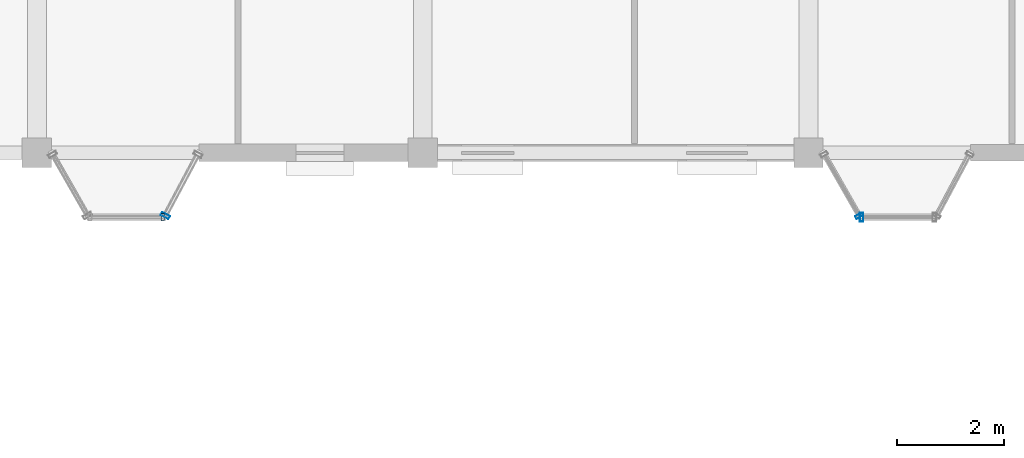
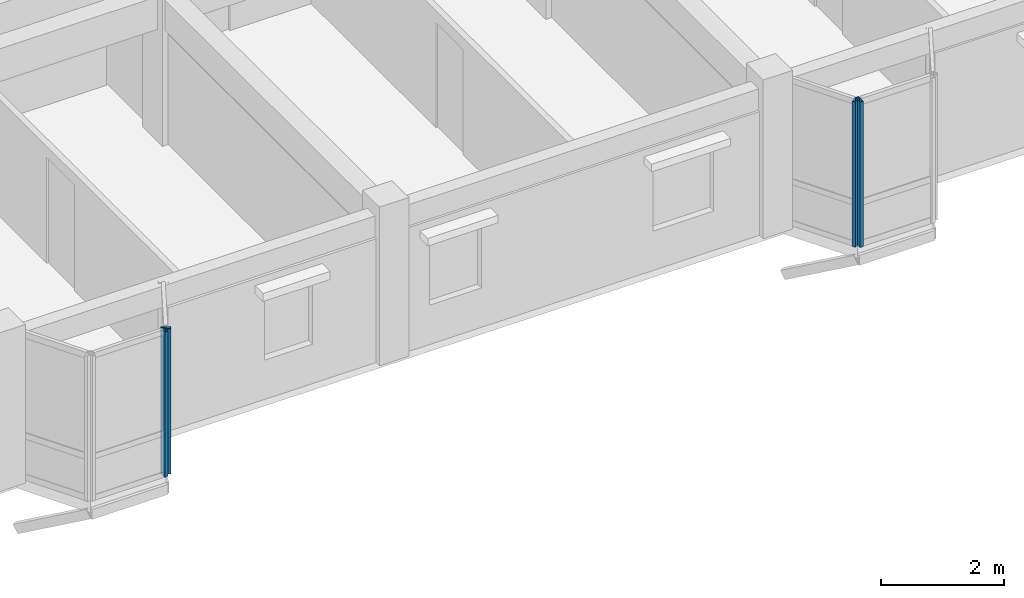
# One storey, part 37 of 79: 4 members, 4 elements without a shape of their own.
"""IFC4 building model written with IfcOpenShell, lengths in metres."""

from ifc_helpers import new_model, si_unit, direction, frame, origin, origin_2d, place, context, subcontext, project, spatial, hollow_rectangle, extrude, material, layer, layer_set, material_profile, profile_set, type_object, element, aggregate, save


model = new_model("IFC4")

# Units and contexts
model_context = context("Model", 3, precision=1e-05, world=origin(), true_north=direction((0.0, 1.0)))
body_context = subcontext(model_context, "Body", "Model", "MODEL_VIEW")
ifc_project = project(units=[si_unit("LENGTHUNIT", "METRE"), si_unit("AREAUNIT", "SQUARE_METRE"), si_unit("VOLUMEUNIT", "CUBIC_METRE"), si_unit("PLANEANGLEUNIT", "RADIAN"), si_unit("MASSUNIT", "GRAM", prefix="KILO"), si_unit("THERMODYNAMICTEMPERATUREUNIT", "KELVIN"), si_unit("POWERUNIT", "WATT")], contexts=[model_context])

# Site, building, storey
site_placement = place(None, origin())
site = spatial("IfcSite", under=ifc_project, at=site_placement, CompositionType="ELEMENT")
building_placement = place(site_placement, origin())
building = spatial("IfcBuilding", under=site, at=building_placement, Name="Tavuni Mirador Residences", CompositionType="ELEMENT")
storey_placement = place(building_placement, frame((0.0, 0.0, 13.949951171875)))
storey = spatial("IfcBuildingStorey", under=building, at=storey_placement, Name="L04", CompositionType="ELEMENT", Elevation=13.949951171875)

# Curtain wall, member
ifc_material = material(Name="Anodised aluminium", Category="aluminium")
ifc_layer_1 = layer(ifc_material, 0.175048828125, Name="Anodised aluminium", Category="aluminium")
ifc_layer_set_1 = layer_set([ifc_layer_1], Name="Anodised aluminium")
curtain_wall_type_1 = type_object("IfcCurtainWallType", Name="CWT-MIR-C", PredefinedType="NOTDEFINED", material=ifc_layer_set_1)
curtain_wall_1_placement = place(storey_placement, origin())
curtain_wall_1 = element("IfcCurtainWall", 1, at=curtain_wall_1_placement, inside=storey, type_object=curtain_wall_type_1, Name="CW-MIR-C-S2-L04-MF", PredefinedType="NOTDEFINED")
ifc_material_profile_1 = material_profile(ifc_material, hollow_rectangle(XDim=0.06005859375, YDim=0.139892578125, WallThickness=0.00390625, at=origin_2d()), Name="ALU 60x140x4.0", Category="aluminium")
ifc_profile_set_1 = profile_set([ifc_material_profile_1], Name="Anodised aluminium")
member_type_1 = type_object("IfcMemberType", Name="CWM-140", PredefinedType="MULLION", material=ifc_profile_set_1)
member_1_placement = place(storey_placement, frame((34.75, 142.800048828125, 0.0), z_axis=(0.0, 0.0, 1.0), x_axis=(1.0, 0.0, 0.0)))
member_1 = element("IfcMember", 2, at=member_1_placement, type_object=member_type_1, Name="CW-03 mullion 2", PredefinedType="MULLION", context=body_context, shape_type="SweptSolid", body=[
    extrude(hollow_rectangle(XDim=0.06005859375, YDim=0.139892578125, WallThickness=0.00390625, at=origin_2d()), origin(), (0.0, 0.0, 1.0), 2.885009765625),
])
aggregate(curtain_wall_1, [member_1])

ifc_layer_2 = layer(ifc_material, 0.1650390625, Name="Anodised aluminium", Category="aluminium")
ifc_layer_set_2 = layer_set([ifc_layer_2], Name="Anodised aluminium")
curtain_wall_type_2 = type_object("IfcCurtainWallType", Name="CWT-MIR-A", PredefinedType="NOTDEFINED", material=ifc_layer_set_2)
curtain_wall_2_placement = place(storey_placement, origin())
curtain_wall_2 = element("IfcCurtainWall", 3, at=curtain_wall_2_placement, inside=storey, type_object=curtain_wall_type_2, Name="CW-MIR-C-S3-L04-M1", PredefinedType="NOTDEFINED")
member_2_placement = place(storey_placement, frame((47.7451171875, 142.826171875, 0.0), z_axis=(0.0, 0.0, 1.0), x_axis=(0.495749192217, -0.868465738194, 0.0)))
member_2 = element("IfcMember", 4, at=member_2_placement, type_object=member_type_1, Name="CW-01 mullion 2", PredefinedType="MULLION", context=body_context, shape_type="SweptSolid", body=[
    extrude(hollow_rectangle(XDim=0.06005859375, YDim=0.139892578125, WallThickness=0.00390625, at=origin_2d()), origin(), (0.0, 0.0, 1.0), 2.885009765625),
])
aggregate(curtain_wall_2, [member_2])

ifc_layer_3 = layer(ifc_material, 0.159912109375, Name="Anodised aluminium", Category="aluminium")
ifc_layer_set_3 = layer_set([ifc_layer_3], Name="Anodised aluminium")
curtain_wall_type_3 = type_object("IfcCurtainWallType", Name="CWT-MIR-D", PredefinedType="NOTDEFINED", material=ifc_layer_set_3)
curtain_wall_3_placement = place(storey_placement, origin())
curtain_wall_3 = element("IfcCurtainWall", 5, at=curtain_wall_3_placement, inside=storey, type_object=curtain_wall_type_3, Name="CW-MIR-C-S2-L04-M2", PredefinedType="NOTDEFINED")
ifc_material_profile_2 = material_profile(ifc_material, hollow_rectangle(XDim=0.06494140625, YDim=0.1650390625, WallThickness=0.00439453125, at=origin_2d()), Name="ALU 65x165x4.5", Category="aluminium")
ifc_profile_set_2 = profile_set([ifc_material_profile_2], Name="Anodised aluminium")
member_type_2 = type_object("IfcMemberType", Name="CWM-165", PredefinedType="MULLION", material=ifc_profile_set_2)
member_3_placement = place(storey_placement, frame((34.79541015625, 142.82861328125, 0.0), z_axis=(0.0, 0.0, 1.0), x_axis=(0.470588235296, 0.882352941175, 0.0)))
member_3 = element("IfcMember", 6, at=member_3_placement, type_object=member_type_2, Name="CW-04 mullion 1", PredefinedType="MULLION", context=body_context, shape_type="SweptSolid", body=[
    extrude(hollow_rectangle(XDim=0.06494140625, YDim=0.1650390625, WallThickness=0.00439453125, at=origin_2d()), origin(), (0.0, 0.0, 1.0), 2.885009765625),
])
aggregate(curtain_wall_3, [member_3])

ifc_layer_4 = layer(ifc_material, 0.14990234375, Name="Anodised aluminium", Category="aluminium")
ifc_layer_set_4 = layer_set([ifc_layer_4], Name="Anodised aluminium")
curtain_wall_type_4 = type_object("IfcCurtainWallType", Name="CWT-MIR-B", PredefinedType="NOTDEFINED", material=ifc_layer_set_4)
curtain_wall_4_placement = place(storey_placement, origin())
curtain_wall_4 = element("IfcCurtainWall", 7, at=curtain_wall_4_placement, inside=storey, type_object=curtain_wall_type_4, Name="CW-MIR-C-S3-L04-MF", PredefinedType="NOTDEFINED")
member_4_placement = place(storey_placement, frame((47.79248046875, 142.800048828125, 0.0), z_axis=(0.0, 0.0, 1.0), x_axis=(1.0, 0.0, 0.0)))
member_4 = element("IfcMember", 8, at=member_4_placement, type_object=member_type_2, Name="CW-02 mullion 1", PredefinedType="MULLION", context=body_context, shape_type="SweptSolid", body=[
    extrude(hollow_rectangle(XDim=0.06494140625, YDim=0.1650390625, WallThickness=0.00439453125, at=origin_2d()), origin(), (0.0, 0.0, 1.0), 2.885009765625),
])
aggregate(curtain_wall_4, [member_4])

save(model, "model.ifc")
